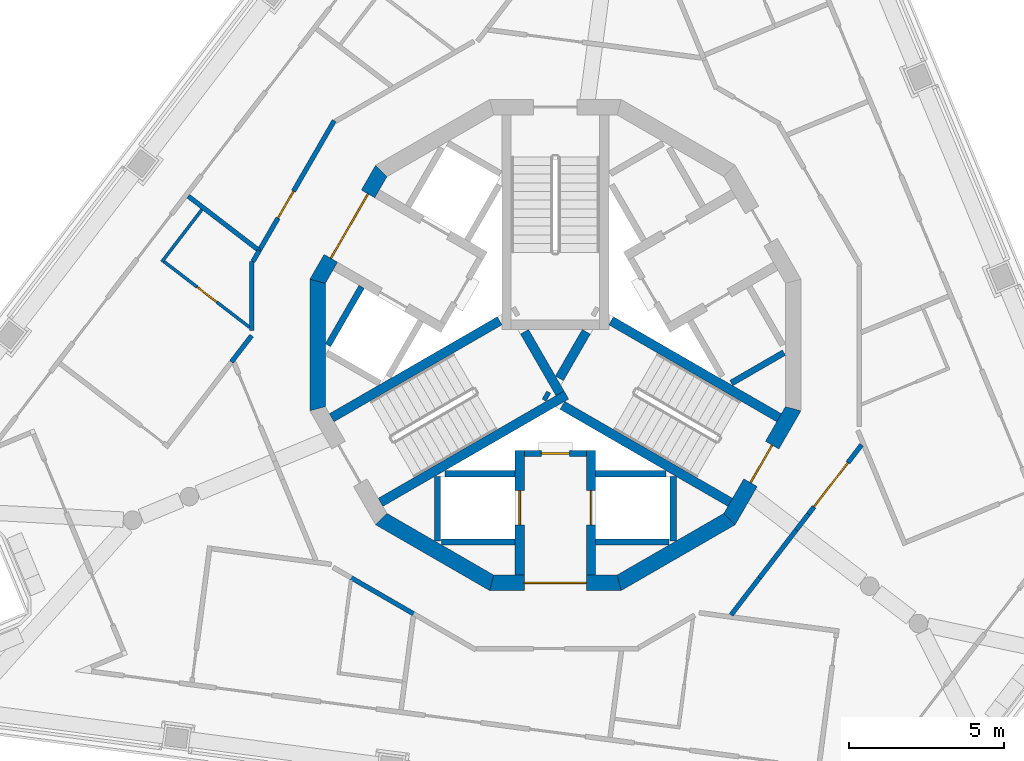
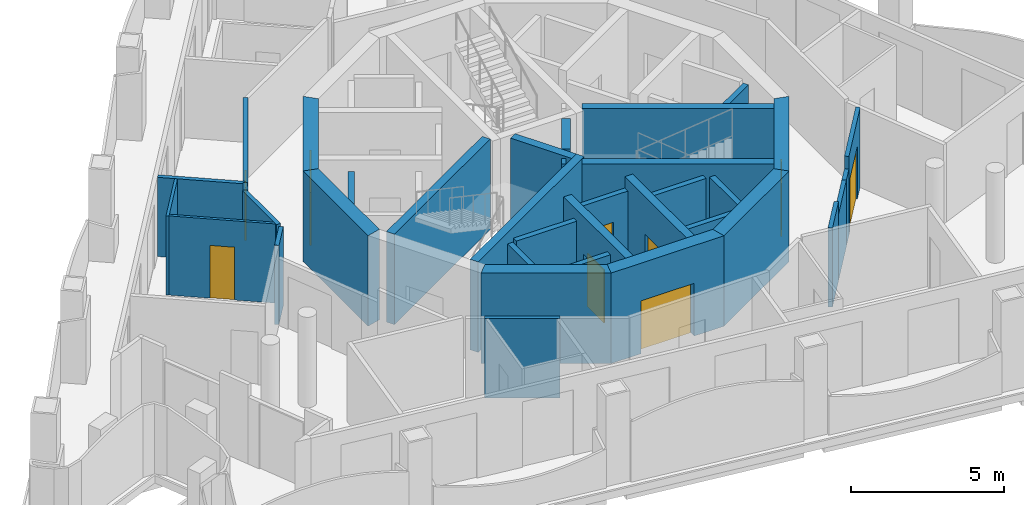
# One storey, part 3 of 12: 36 walls, 9 doors, 9 openings.
"""IFC4 building model written with IfcOpenShell, lengths in metres."""

import ifcopenshell
import ifcopenshell.guid

model = None  # the IFC model being written
_history = None  # IfcOwnerHistory: only IFC2X3 demands one
_inside = {}  # id of a spatial element -> (the spatial element, [elements in it])
_under = {}  # id of a project, library or spatial element -> (it, [spatial elements below it])
_declared = {}  # id of a project -> (the project, [libraries it declares])
_typed = {}  # id of a type object -> (the type object, [elements of that type])
_made_of = {}  # id of a material, layer set ... -> (it, [elements and type objects made of it])


def new_model(schema):
    """Start an empty IFC model of exactly this schema.

    Asked for "IFC4X3", IfcOpenShell would pick the latest addendum, in which some entities
    have other attributes; the version numbers below select the first issue.
    IFC2X3 requires an IfcOwnerHistory on every rooted entity: one is made here for all.
    """
    global model, _history
    if schema == "IFC4X3":
        model = ifcopenshell.file(schema_version=(4, 3, 0, 0))
    else:
        model = ifcopenshell.file(schema=schema)
    _inside.clear()
    _under.clear()
    _declared.clear()
    _typed.clear()
    _made_of.clear()
    _history = None
    if model.schema == "IFC2X3":
        org = make("IfcOrganization", Name="unknown")
        user = make(
            "IfcPersonAndOrganization",
            ThePerson=make("IfcPerson", FamilyName="unknown"),
            TheOrganization=org,
        )
        app = make(
            "IfcApplication",
            ApplicationDeveloper=org,
            Version="unknown",
            ApplicationFullName="unknown",
            ApplicationIdentifier="unknown",
        )
        _history = make(
            "IfcOwnerHistory",
            OwningUser=user,
            OwningApplication=app,
            ChangeAction="ADDED",
            CreationDate=0,
        )
    return model


def make(cls, **values):
    """One entity of the class cls with the attributes given. An attribute that is None is left unset."""
    return model.create_entity(
        cls, **{name: value for name, value in values.items() if value is not None}
    )


def rooted(cls, **values):
    """An entity with a GlobalId (a new one), such as an element, a storey or a relation."""
    return make(cls, GlobalId=ifcopenshell.guid.new(), OwnerHistory=_history, **values)


def si_unit(unit_type, name, prefix=None):
    """IfcSIUnit, for example si_unit("LENGTHUNIT", "METRE", prefix="MILLI")."""
    return make("IfcSIUnit", UnitType=unit_type, Prefix=prefix, Name=name)


def assignment(units):
    """IfcUnitAssignment: the units of a project."""
    return None if units is None else make("IfcUnitAssignment", Units=units)


def point(xyz):
    """IfcCartesianPoint."""
    return None if xyz is None else make("IfcCartesianPoint", Coordinates=xyz)


def direction(xyz):
    """IfcDirection."""
    return None if xyz is None else make("IfcDirection", DirectionRatios=xyz)


def frame(location, z_axis=None, x_axis=None):
    """IfcAxis2Placement3D, a coordinate frame: its origin and axes. An axis left out is left unset."""
    return make(
        "IfcAxis2Placement3D",
        Location=point(location),
        Axis=direction(z_axis),
        RefDirection=direction(x_axis),
    )


def frame_2d(location, x_axis=None):
    """IfcAxis2Placement2D, a coordinate frame in the plane: its origin and x axis."""
    return make(
        "IfcAxis2Placement2D", Location=point(location), RefDirection=direction(x_axis)
    )


def origin():
    """The frame at (0, 0, 0) with its axes left unset."""
    return frame((0.0, 0.0, 0.0))


def place(relative_to, where):
    """IfcLocalPlacement: puts the frame where relative to a parent placement (None: the world)."""
    return make(
        "IfcLocalPlacement", PlacementRelTo=relative_to, RelativePlacement=where
    )


def context(
    kind, dimensions, precision=None, world=None, true_north=None, identifier=None
):
    """IfcGeometricRepresentationContext, for example the 3D "Model" context."""
    return make(
        "IfcGeometricRepresentationContext",
        ContextIdentifier=identifier,
        ContextType=kind,
        CoordinateSpaceDimension=dimensions,
        Precision=precision,
        WorldCoordinateSystem=world,
        TrueNorth=true_north,
    )


def subcontext(parent, identifier, kind, view, scale=None):
    """IfcGeometricRepresentationSubContext, for example "Body" below "Model"."""
    return make(
        "IfcGeometricRepresentationSubContext",
        ContextIdentifier=identifier,
        ContextType=kind,
        ParentContext=parent,
        TargetScale=scale,
        TargetView=view,
    )


def project(units=None, contexts=None):
    """IfcProject with its units and contexts."""
    return rooted(
        "IfcProject",
        Name="project",
        RepresentationContexts=contexts,
        UnitsInContext=assignment(units),
    )


def spatial(cls, under=None, at=None, **own):
    """A site, building, storey or space (cls), placed at a placement, below another one or the project."""
    s = rooted(cls, ObjectPlacement=at, **own)
    if under is not None:
        _under.setdefault(under.id(), (under, []))[1].append(s)
    return s


def polyline(points):
    """IfcPolyline through the points."""
    return make("IfcPolyline", Points=[point(p) for p in points])


def profile(cls, at=None, kind="AREA", **sizes):
    """A parametric profile (cls). Its sizes go by their IFC names, for example OverallWidth=200.0."""
    return make(cls, ProfileType=kind, Position=at, **sizes)


def rectangle(**sizes):
    """IfcRectangleProfileDef."""
    return profile("IfcRectangleProfileDef", **sizes)


def outline(outer, holes=None, kind="AREA"):
    """IfcArbitraryClosedProfileDef: a profile drawn as a closed curve; with holes, ...WithVoids."""
    if holes is None:
        return make("IfcArbitraryClosedProfileDef", ProfileType=kind, OuterCurve=outer)
    return make(
        "IfcArbitraryProfileDefWithVoids",
        ProfileType=kind,
        OuterCurve=outer,
        InnerCurves=holes,
    )


def extrude(swept, where, along, depth):
    """IfcExtrudedAreaSolid: the profile swept, set in the frame where, extruded along a direction by depth."""
    return make(
        "IfcExtrudedAreaSolid",
        SweptArea=swept,
        Position=where,
        ExtrudedDirection=direction(along),
        Depth=depth,
    )


def shape(context_of_items, identifier, shape_type, items):
    """IfcShapeRepresentation: the items that make up one representation, for example the "Body"."""
    return make(
        "IfcShapeRepresentation",
        ContextOfItems=context_of_items,
        RepresentationIdentifier=identifier,
        RepresentationType=shape_type,
        Items=items,
    )


def material(Name=None, Category=None):
    """IfcMaterial."""
    return make("IfcMaterial", Name=Name, Category=Category)


def layer(
    of_material, thickness, ventilated=None, Name=None, Category=None, Priority=None
):
    """IfcMaterialLayer: one layer of a wall or slab, of a material (None: an air gap)."""
    return make(
        "IfcMaterialLayer",
        Material=of_material,
        LayerThickness=thickness,
        IsVentilated=ventilated,
        Name=Name,
        Category=Category,
        Priority=Priority,
    )


def layer_set(layers, Name=None):
    """IfcMaterialLayerSet."""
    return make("IfcMaterialLayerSet", MaterialLayers=layers, LayerSetName=Name)


def made_of(thing, what):
    """Note that an element or type object is made of a material, layer set ...; save() writes the relation."""
    if what is not None:
        _made_of.setdefault(what.id(), (what, []))[1].append(thing)
    return thing


def type_object(cls, material=None, **own):
    """A type object (cls), such as IfcWallType, which elements share."""
    return made_of(rooted(cls, **own), material)


def element(
    cls,
    number,
    at=None,
    inside=None,
    cuts=None,
    type_object=None,
    material=None,
    context=None,
    identifier="Body",
    shape_type=None,
    held_by="IfcProductDefinitionShape",
    body=None,
    shapes=None,
    **own,
):
    """One element of the class cls, such as IfcWall. Its Tag is "e" and its number.

    at: its placement. inside: the storey or other place that contains it. cuts: it is an
    opening in that element (IfcRelVoidsElement). A single representation is given by context,
    identifier, shape_type and body (its items); several are given by shapes. held_by: the class
    of the entity that holds the representations. save() writes the other relations.
    """
    e = rooted(cls, Tag="e%d" % number, ObjectPlacement=at, **own)
    if body is not None:
        shapes = [shape(context, identifier, shape_type, body)]
    if shapes is not None:
        e.Representation = make(held_by, Representations=shapes)
    if inside is not None:
        _inside.setdefault(inside.id(), (inside, []))[1].append(e)
    if cuts is not None:
        rooted(
            "IfcRelVoidsElement", RelatingBuildingElement=cuts, RelatedOpeningElement=e
        )
    if type_object is not None:
        _typed.setdefault(type_object.id(), (type_object, []))[1].append(e)
    return made_of(e, material)


def fill(opening, filler):
    """IfcRelFillsElement: the door or window that sits in an opening."""
    return rooted(
        "IfcRelFillsElement",
        RelatingOpeningElement=opening,
        RelatedBuildingElement=filler,
    )


def aggregate(whole, parts):
    """IfcRelAggregates: a whole, such as a stair, and the parts it consists of."""
    return rooted("IfcRelAggregates", RelatingObject=whole, RelatedObjects=parts)


def save(model, path):
    """Write the relations noted so far, then the file.

    IfcRelAggregates (storeys below a building ...), IfcRelContainedInSpatialStructure (elements
    in a storey), IfcRelDefinesByType, IfcRelAssociatesMaterial and IfcRelDeclares: one each for
    every whole, place, type object, material and project.
    """
    for whole, parts in _under.values():
        aggregate(whole, parts)
    for where, things in _inside.values():
        rooted(
            "IfcRelContainedInSpatialStructure",
            RelatedElements=things,
            RelatingStructure=where,
        )
    for kind, things in _typed.values():
        rooted("IfcRelDefinesByType", RelatedObjects=things, RelatingType=kind)
    for what, things in _made_of.values():
        rooted("IfcRelAssociatesMaterial", RelatedObjects=things, RelatingMaterial=what)
    for by, libraries in _declared.values():
        rooted("IfcRelDeclares", RelatingContext=by, RelatedDefinitions=libraries)
    model.write(path)


model = new_model("IFC4")

# Units and contexts
model_context = context("Model", 3, precision=1e-05, world=origin(), true_north=direction((0.0, 1.0)))
body_context = subcontext(model_context, "Body", "Model", "MODEL_VIEW")
ifc_project = project(units=[si_unit("LENGTHUNIT", "METRE"), si_unit("AREAUNIT", "SQUARE_METRE"), si_unit("VOLUMEUNIT", "CUBIC_METRE"), si_unit("PLANEANGLEUNIT", "RADIAN"), si_unit("MASSUNIT", "GRAM", prefix="KILO")], contexts=[model_context])

# Site, building, storey
site_placement = place(None, origin())
site = spatial("IfcSite", under=ifc_project, at=site_placement, CompositionType="ELEMENT")
building_placement = place(site_placement, origin())
building = spatial("IfcBuilding", under=site, at=building_placement, Name="Trine Commons Tower", CompositionType="ELEMENT")
storey_placement = place(building_placement, frame((0.0, 0.0, 297.0)))
storey = spatial("IfcBuildingStorey", under=building, at=storey_placement, Name="L78", CompositionType="ELEMENT", Elevation=297.0)

# Wall, opening, door
ifc_material_1 = material(Name="Fire-rated gypsum shaft wall system")
ifc_layer_1 = layer(ifc_material_1, 0.199951171875)
ifc_layer_set_1 = layer_set([ifc_layer_1], Name="Fire-rated gypsum shaft wall system")
wall_type_1 = type_object("IfcWallType", Name="Lobby end wall 200 mm, EI 120", PredefinedType="PARTITIONING", material=ifc_layer_set_1)
wall_1_placement = place(storey_placement, frame((79.0, 59.0, 0.0), z_axis=(0.0, 0.0, 1.0), x_axis=(1.0, 0.0, 0.0)))
wall_1 = element("IfcWall", 1, at=wall_1_placement, inside=storey, type_object=wall_type_1, Name="Lobby end wall L78", PredefinedType="PARTITIONING", context=body_context, shape_type="SweptSolid", body=[
    extrude(rectangle(XDim=2.0, YDim=0.199951171875, at=frame_2d((1.0, 0.0))), origin(), (0.0, 0.0, 1.0), 3.14990234375),
])
opening_1_placement = place(wall_1_placement, frame((0.550048828125, 0.0, 0.0)))
opening_1 = element("IfcOpeningElement", 2, at=opening_1_placement, cuts=wall_1, Name="Opening K18.09", PredefinedType="OPENING", context=body_context, shape_type="SweptSolid", body=[
    extrude(rectangle(XDim=0.89990234375, YDim=2.10009765625, at=frame_2d((0.449951171875, 1.050048828125))), frame((0.0, 0.10986328125, 0.0), z_axis=(0.0, -1.0, 0.0), x_axis=(1.0, 0.0, 0.0)), (0.0, 0.0, 1.0), 0.219970703125),
])
ifc_material_2 = material(Name="Steel door leaf, fire-rated", Category="steel")
door_type_1 = type_object("IfcDoorType", Name="Riser access door, single leaf 900 x 2100, FD60", OperationType="SINGLE_SWING_LEFT", PredefinedType="DOOR", material=ifc_material_2)
door_1_placement = place(opening_1_placement, frame((0.89990234375, 0.0, 0.0), z_axis=(0.0, 0.0, 1.0), x_axis=(-1.0, 0.0, 0.0)))
door_1 = element("IfcDoor", 3, at=door_1_placement, inside=storey, type_object=door_type_1, Name="Riser door, Communications riser L78", OperationType="SINGLE_SWING_RIGHT", OverallHeight=2.10009765625, OverallWidth=0.89990234375, PredefinedType="DOOR", context=body_context, shape_type="SweptSolid", body=[
    extrude(rectangle(XDim=0.89990234375, YDim=2.10009765625, at=frame_2d((0.449951171875, 1.050048828125))), frame((0.0, 0.02490234375, 0.0), z_axis=(0.0, -1.0, 0.0), x_axis=(1.0, 0.0, 0.0)), (0.0, 0.0, 1.0), 0.050048828125),
])
fill(opening_1, door_1)

ifc_material_3 = material(Name="Concrete C50/60", Category="concrete")
ifc_layer_2 = layer(ifc_material_3, 0.300048828125)
ifc_layer_set_2 = layer_set([ifc_layer_2], Name="Concrete C50/60")
wall_type_2 = type_object("IfcWallType", Name="RC shear wall 300 mm, C50/60", PredefinedType="SHEAR", material=ifc_layer_set_2)
wall_2_placement = place(storey_placement, frame((78.85009765625, 59.10009765625, 0.0), z_axis=(0.0, 0.0, 1.0), x_axis=(0.0, -1.0, 0.0)))
wall_2 = element("IfcWall", 4, at=wall_2_placement, inside=storey, type_object=wall_type_2, Name="Core cross wall SWD-03 L78", PredefinedType="SHEAR", context=body_context, shape_type="SweptSolid", body=[
    extrude(rectangle(XDim=4.02099609375, YDim=0.300048828125, at=frame_2d((2.010498046875, 0.0))), origin(), (0.0, 0.0, 1.0), 3.60009765625),
])
opening_2_placement = place(wall_2_placement, frame((1.300048828125, 0.0, 0.0)))
opening_2 = element("IfcOpeningElement", 5, at=opening_2_placement, cuts=wall_2, Name="Opening LD10", PredefinedType="OPENING", context=body_context, shape_type="SweptSolid", body=[
    extrude(rectangle(XDim=1.10009765625, YDim=2.10009765625, at=frame_2d((0.550048828125, 1.050048828125))), frame((0.0, 0.159912109375, 0.0), z_axis=(0.0, -1.0, 0.0), x_axis=(1.0, 0.0, 0.0)), (0.0, 0.0, 1.0), 0.320068359375),
])
ifc_material_4 = material(Name="Stainless steel sliding door leaves", Category="steel")
door_type_2 = type_object("IfcDoorType", Name="Lift landing door, centre-opening sliding 1100 x 2100, FD90", OperationType="DOUBLE_DOOR_SLIDING", PredefinedType="DOOR", material=ifc_material_4)
door_2_placement = place(opening_2_placement, origin())
door_2 = element("IfcDoor", 6, at=door_2_placement, inside=storey, type_object=door_type_2, Name="Lift landing door FF2 L78", OperationType="DOUBLE_DOOR_SLIDING", OverallHeight=2.10009765625, OverallWidth=1.10009765625, PredefinedType="DOOR", context=body_context, shape_type="SweptSolid", body=[
    extrude(rectangle(XDim=1.10009765625, YDim=2.10009765625, at=frame_2d((0.550048828125, 1.050048828125))), frame((0.0, 0.02490234375, 0.0), z_axis=(0.0, -1.0, 0.0), x_axis=(1.0, 0.0, 0.0)), (0.0, 0.0, 1.0), 0.050048828125),
])
fill(opening_2, door_2)

wall_3_placement = place(storey_placement, frame((81.14990234375, 59.10009765625, 0.0), z_axis=(0.0, 0.0, 1.0), x_axis=(0.0, -1.0, 0.0)))
wall_3 = element("IfcWall", 7, at=wall_3_placement, inside=storey, type_object=wall_type_2, Name="Core cross wall SWD-04 L78", PredefinedType="SHEAR", context=body_context, shape_type="SweptSolid", body=[
    extrude(rectangle(XDim=4.02099609375, YDim=0.300048828125, at=frame_2d((2.010498046875, 0.0))), origin(), (0.0, 0.0, 1.0), 3.60009765625),
])
opening_3_placement = place(wall_3_placement, frame((1.300048828125, 0.0, 0.0)))
opening_3 = element("IfcOpeningElement", 8, at=opening_3_placement, cuts=wall_3, Name="Opening LD9", PredefinedType="OPENING", context=body_context, shape_type="SweptSolid", body=[
    extrude(rectangle(XDim=1.10009765625, YDim=2.10009765625, at=frame_2d((0.550048828125, 1.050048828125))), frame((0.0, 0.159912109375, 0.0), z_axis=(0.0, -1.0, 0.0), x_axis=(1.0, 0.0, 0.0)), (0.0, 0.0, 1.0), 0.320068359375),
])
door_3_placement = place(opening_3_placement, origin())
door_3 = element("IfcDoor", 9, at=door_3_placement, inside=storey, type_object=door_type_2, Name="Lift landing door FF1 L78", OperationType="DOUBLE_DOOR_SLIDING", OverallHeight=2.10009765625, OverallWidth=1.10009765625, PredefinedType="DOOR", context=body_context, shape_type="SweptSolid", body=[
    extrude(rectangle(XDim=1.10009765625, YDim=2.10009765625, at=frame_2d((0.550048828125, 1.050048828125))), frame((0.0, 0.02490234375, 0.0), z_axis=(0.0, -1.0, 0.0), x_axis=(1.0, 0.0, 0.0)), (0.0, 0.0, 1.0), 0.050048828125),
])
fill(opening_3, door_3)

# Walls
wall_4_placement = place(storey_placement, frame((78.199951171875, 63.280029296875, 0.0), z_axis=(0.0, 0.0, 1.0), x_axis=(-0.866013897511, -0.50001992892, 0.0)))
element("IfcWall", 10, at=wall_4_placement, inside=storey, type_object=wall_type_2, Name="Core cross wall SWD-07 L78", PredefinedType="SHEAR", context=body_context, shape_type="SweptSolid", body=[
    extrude(rectangle(XDim=6.251708984375, YDim=0.300048828125, at=frame_2d((3.1259765625, 0.0))), origin(), (0.0, 0.0, 1.0), 3.60009765625),
])
wall_5_placement = place(storey_placement, frame((79.0029296875, 62.926025390625, 0.0), z_axis=(0.0, 0.0, 1.0), x_axis=(0.499965247104, -0.866045467449, 0.0)))
element("IfcWall", 11, at=wall_5_placement, inside=storey, type_object=wall_type_2, Name="Core cross wall SWD-10 L78", PredefinedType="SHEAR", context=body_context, shape_type="SweptSolid", body=[
    extrude(rectangle(XDim=2.292236328125, YDim=0.300048828125, at=frame_2d((1.14599609375, 0.0))), origin(), (0.0, 0.0, 1.0), 3.60009765625),
])
wall_6_placement = place(storey_placement, frame((79.64599609375, 60.885986328125, 0.0), z_axis=(0.0, 0.0, 1.0), x_axis=(0.867331893649, -0.497730234424, 0.0)))
element("IfcWall", 12, at=wall_6_placement, inside=storey, type_object=wall_type_2, Name="Core cross wall SWD-11 L78", PredefinedType="SHEAR", context=body_context, shape_type="SweptSolid", body=[
    extrude(rectangle(XDim=0.148681640625, YDim=0.300048828125, at=frame_2d((0.07421875, 0.0))), origin(), (0.0, 0.0, 1.0), 3.60009765625),
])
wall_7_placement = place(storey_placement, frame((80.1298828125, 61.424072265625, 0.0), z_axis=(0.0, 0.0, 1.0), x_axis=(0.500014901547, 0.866016800201, 0.0)))
element("IfcWall", 13, at=wall_7_placement, inside=storey, type_object=wall_type_2, Name="Core cross wall SWD-12 L78", PredefinedType="SHEAR", context=body_context, shape_type="SweptSolid", body=[
    extrude(rectangle(XDim=1.734375, YDim=0.300048828125, at=frame_2d((0.8671875, 0.0))), origin(), (0.0, 0.0, 1.0), 3.60009765625),
])
wall_8_placement = place(storey_placement, frame((80.22509765625, 60.552001953125, 0.0), z_axis=(0.0, 0.0, 1.0), x_axis=(0.866004133274, -0.500036839795, 0.0)))
element("IfcWall", 14, at=wall_8_placement, inside=storey, type_object=wall_type_2, Name="Core cross wall SWD-13 L78", PredefinedType="SHEAR", context=body_context, shape_type="SweptSolid", body=[
    extrude(rectangle(XDim=6.25146484375, YDim=0.300048828125, at=frame_2d((3.125732421875, 0.0))), origin(), (0.0, 0.0, 1.0), 3.60009765625),
])
wall_9_placement = place(storey_placement, frame((80.35400390625, 60.885986328125, 0.0), z_axis=(0.0, 0.0, 1.0), x_axis=(-0.86602871973, -0.49999425657, 0.0)))
element("IfcWall", 15, at=wall_9_placement, inside=storey, type_object=wall_type_2, Name="Core cross wall SWD-14 L78", PredefinedType="SHEAR", context=body_context, shape_type="SweptSolid", body=[
    extrude(rectangle(XDim=6.919921875, YDim=0.300048828125, at=frame_2d((3.4599609375, 0.0))), origin(), (0.0, 0.0, 1.0), 3.60009765625),
])
wall_10_placement = place(storey_placement, frame((81.800048828125, 63.280029296875, 0.0), z_axis=(0.0, 0.0, 1.0), x_axis=(0.866013897511, -0.50001992892, 0.0)))
element("IfcWall", 16, at=wall_10_placement, inside=storey, type_object=wall_type_2, Name="Core cross wall SWD-18 L78", PredefinedType="SHEAR", context=body_context, shape_type="SweptSolid", body=[
    extrude(rectangle(XDim=6.251708984375, YDim=0.300048828125, at=frame_2d((3.1259765625, 0.0))), origin(), (0.0, 0.0, 1.0), 3.60009765625),
])

# Wall, opening, door
ifc_layer_3 = layer(ifc_material_3, 0.5)
ifc_layer_set_3 = layer_set([ifc_layer_3], Name="Concrete C50/60")
wall_type_3 = type_object("IfcWallType", Name="RC shear wall 500 mm, C50/60", PredefinedType="SHEAR", material=ifc_layer_set_3)
wall_11_placement = place(storey_placement, frame((74.418212890625, 68.17333984375, 0.0), z_axis=(0.0, 0.0, 1.0), x_axis=(-0.499992968425, -0.866029463428, 0.0)))
wall_11 = element("IfcWall", 17, at=wall_11_placement, inside=storey, type_object=wall_type_3, Name="Core wall CWH-06 L78", PredefinedType="SHEAR", context=body_context, shape_type="SweptSolid", body=[
    extrude(outline(polyline([(0.0, -0.25), (4.24462890625, -0.25), (4.110595703125, 0.25), (0.134033203125, 0.25), (0.0, -0.25)])), origin(), (0.0, 0.0, 1.0), 3.60009765625),
])
opening_4_placement = place(wall_11_placement, frame((0.92236328125, 0.0, 0.0)))
opening_4 = element("IfcOpeningElement", 18, at=opening_4_placement, cuts=wall_11, Name="Opening K18.06", PredefinedType="OPENING", context=body_context, shape_type="SweptSolid", body=[
    extrude(rectangle(XDim=2.39990234375, YDim=2.10009765625, at=frame_2d((1.199951171875, 1.050048828125))), frame((0.0, 0.260009765625, 0.0), z_axis=(0.0, -1.0, 0.0), x_axis=(1.0, 0.0, 0.0)), (0.0, 0.0, 1.0), 0.52001953125),
])
ifc_material_5 = material(Name="Steel door leaves, fire-rated", Category="steel")
door_type_3 = type_object("IfcDoorType", Name="Lobby door, double leaf 2400 x 2100, FD60", OperationType="DOUBLE_DOOR_SINGLE_SWING", PredefinedType="DOOR", material=ifc_material_5)
door_4_placement = place(opening_4_placement, origin())
door_4 = element("IfcDoor", 19, at=door_4_placement, inside=storey, type_object=door_type_3, Name="Lobby door, Passenger lift lobby B L78", OperationType="DOUBLE_DOOR_SINGLE_SWING", OverallHeight=2.10009765625, OverallWidth=2.39990234375, PredefinedType="DOOR", context=body_context, shape_type="SweptSolid", body=[
    extrude(rectangle(XDim=2.39990234375, YDim=2.10009765625, at=frame_2d((1.199951171875, 1.050048828125))), frame((0.0, 0.02490234375, 0.0), z_axis=(0.0, -1.0, 0.0), x_axis=(1.0, 0.0, 0.0)), (0.0, 0.0, 1.0), 0.050048828125),
])
fill(opening_4, door_4)

# Walls
for number, where, z_axis, x_axis, name in (
    (20, (72.329345703125, 64.622314453125, 0.0), (0.0, 0.0, 1.0), (0.0, -1.0, 0.0), "Core wall CWH-07 L78"),
    (21, (74.32666015625, 56.918212890625, 0.0), (0.0, 0.0, 1.0), (0.866029463428, -0.499992968425, 0.0), "Core wall CWH-09 L78"),
):
    element("IfcWall", number, at=place(storey_placement, frame(where, z_axis=z_axis, x_axis=x_axis)), inside=storey, type_object=wall_type_3, Name=name, PredefinedType="SHEAR", context=body_context, shape_type="SweptSolid", body=[
        extrude(outline(polyline([(0.0, -0.25), (4.24462890625, -0.25), (4.110595703125, 0.25), (0.134033203125, 0.25), (0.0, -0.25)])), origin(), (0.0, 0.0, 1.0), 3.60009765625),
    ])

# Wall, opening, door
wall_12_placement = place(storey_placement, frame((77.877685546875, 54.829345703125, 0.0), z_axis=(0.0, 0.0, 1.0), x_axis=(1.0, 0.0, 0.0)))
wall_12 = element("IfcWall", 22, at=wall_12_placement, inside=storey, type_object=wall_type_3, Name="Core wall CWH-10 L78", PredefinedType="SHEAR", context=body_context, shape_type="SweptSolid", body=[
    extrude(outline(polyline([(0.0, -0.25), (4.24462890625, -0.25), (4.110595703125, 0.25), (0.134033203125, 0.25), (0.0, -0.25)])), origin(), (0.0, 0.0, 1.0), 3.60009765625),
])
opening_5_placement = place(wall_12_placement, frame((1.122314453125, 0.0, 0.0)))
opening_5 = element("IfcOpeningElement", 23, at=opening_5_placement, cuts=wall_12, Name="Opening K18.08", PredefinedType="OPENING", context=body_context, shape_type="SweptSolid", body=[
    extrude(rectangle(XDim=2.0, YDim=2.10009765625, at=frame_2d((1.0, 1.050048828125))), frame((0.0, 0.260009765625, 0.0), z_axis=(0.0, -1.0, 0.0), x_axis=(1.0, 0.0, 0.0)), (0.0, 0.0, 1.0), 0.52001953125),
])
door_type_4 = type_object("IfcDoorType", Name="Lobby door, double leaf 2000 x 2100, FD60", OperationType="DOUBLE_DOOR_SINGLE_SWING", PredefinedType="DOOR", material=ifc_material_5)
door_5_placement = place(opening_5_placement, origin())
door_5 = element("IfcDoor", 24, at=door_5_placement, inside=storey, type_object=door_type_4, Name="Lobby door, Service and firefighting lobby L78", OperationType="DOUBLE_DOOR_SINGLE_SWING", OverallHeight=2.10009765625, OverallWidth=2.0, PredefinedType="DOOR", context=body_context, shape_type="SweptSolid", body=[
    extrude(rectangle(XDim=2.0, YDim=2.10009765625, at=frame_2d((1.0, 1.050048828125))), frame((0.0, 0.02490234375, 0.0), z_axis=(0.0, -1.0, 0.0), x_axis=(1.0, 0.0, 0.0)), (0.0, 0.0, 1.0), 0.050048828125),
])
fill(opening_5, door_5)

# Wall
wall_13_placement = place(storey_placement, frame((81.997314453125, 54.7958984375, 0.0), z_axis=(0.0, 0.0, 1.0), x_axis=(0.866029463428, 0.499992968425, 0.0)))
element("IfcWall", 25, at=wall_13_placement, inside=storey, type_object=wall_type_3, Name="Core wall CWH-11 L78", PredefinedType="SHEAR", context=body_context, shape_type="SweptSolid", body=[
    extrude(outline(polyline([(0.0, -0.25), (4.24462890625, -0.25), (4.110595703125, 0.25), (0.134033203125, 0.25), (0.0, -0.25)])), origin(), (0.0, 0.0, 1.0), 3.60009765625),
])

# Wall, opening, door
wall_14_placement = place(storey_placement, frame((85.581787109375, 56.82666015625, 0.0), z_axis=(0.0, 0.0, 1.0), x_axis=(0.499992968425, 0.866029463428, 0.0)))
wall_14 = element("IfcWall", 26, at=wall_14_placement, inside=storey, type_object=wall_type_3, Name="Core wall CWH-12 L78", PredefinedType="SHEAR", context=body_context, shape_type="SweptSolid", body=[
    extrude(outline(polyline([(0.0, -0.25), (4.24462890625, -0.25), (4.110595703125, 0.25), (0.134033203125, 0.25), (0.0, -0.25)])), origin(), (0.0, 0.0, 1.0), 3.60009765625),
])
opening_6_placement = place(wall_14_placement, frame((1.42236328125, 0.0, 0.0)))
opening_6 = element("IfcOpeningElement", 27, at=opening_6_placement, cuts=wall_14, Name="Opening K18.03", PredefinedType="OPENING", context=body_context, shape_type="SweptSolid", body=[
    extrude(rectangle(XDim=1.39990234375, YDim=2.10009765625, at=frame_2d((0.699951171875, 1.050048828125))), frame((0.0, 0.260009765625, 0.0), z_axis=(0.0, -1.0, 0.0), x_axis=(1.0, 0.0, 0.0)), (0.0, 0.0, 1.0), 0.52001953125),
])
door_type_5 = type_object("IfcDoorType", Name="Stair door, double leaf 1400 x 2100, FD90", OperationType="DOUBLE_DOOR_SINGLE_SWING", PredefinedType="DOOR", material=ifc_material_5)
door_6_placement = place(opening_6_placement, origin())
door_6 = element("IfcDoor", 28, at=door_6_placement, inside=storey, type_object=door_type_5, Name="Stair door to Exit stair ST3D L78", OperationType="DOUBLE_DOOR_SINGLE_SWING", OverallHeight=2.10009765625, OverallWidth=1.39990234375, PredefinedType="DOOR", context=body_context, shape_type="SweptSolid", body=[
    extrude(rectangle(XDim=1.39990234375, YDim=2.10009765625, at=frame_2d((0.699951171875, 1.050048828125))), frame((0.0, 0.02490234375, 0.0), z_axis=(0.0, -1.0, 0.0), x_axis=(1.0, 0.0, 0.0)), (0.0, 0.0, 1.0), 0.050048828125),
])
fill(opening_6, door_6)

# Walls
ifc_layer_4 = layer(ifc_material_1, 0.199951171875)
ifc_layer_set_4 = layer_set([ifc_layer_4], Name="Fire-rated gypsum shaft wall system")
wall_type_4 = type_object("IfcWallType", Name="Shaft wall 200 mm, EI 120", PredefinedType="PARTITIONING", material=ifc_layer_set_4)
wall_15_placement = place(storey_placement, frame((73.7509765625, 64.3759765625, 0.0), z_axis=(0.0, 0.0, 1.0), x_axis=(-0.499865263774, -0.866103179807, 0.0)))
element("IfcWall", 29, at=wall_15_placement, inside=storey, type_object=wall_type_4, Name="Shaft wall L78", PredefinedType="PARTITIONING", context=body_context, shape_type="SweptSolid", body=[
    extrude(rectangle(XDim=2.17041015625, YDim=0.199951171875, at=frame_2d((1.085205078125, 0.0))), origin(), (0.0, 0.0, 1.0), 3.14990234375),
])
wall_16_placement = place(storey_placement, frame((76.199951171875, 58.257080078125, 0.0), z_axis=(0.0, 0.0, 1.0), x_axis=(0.0, -1.0, 0.0)))
element("IfcWall", 30, at=wall_16_placement, inside=storey, type_object=wall_type_4, Name="Shaft wall L78", PredefinedType="PARTITIONING", context=body_context, shape_type="SweptSolid", body=[
    extrude(rectangle(XDim=2.073974609375, YDim=0.199951171875, at=frame_2d((1.037109375, 0.0))), origin(), (0.0, 0.0, 1.0), 3.14990234375),
])
wall_17_placement = place(storey_placement, frame((78.699951171875, 56.14990234375, 0.0), z_axis=(0.0, 0.0, 1.0), x_axis=(-1.0, 0.0, 0.0)))
element("IfcWall", 31, at=wall_17_placement, inside=storey, type_object=wall_type_4, Name="Shaft wall L78", PredefinedType="PARTITIONING", context=body_context, shape_type="SweptSolid", body=[
    extrude(rectangle(XDim=2.368896484375, YDim=0.199951171875, at=frame_2d((1.1845703125, 0.0))), origin(), (0.0, 0.0, 1.0), 3.14990234375),
])
wall_18_placement = place(storey_placement, frame((78.699951171875, 58.35009765625, 0.0), z_axis=(0.0, 0.0, 1.0), x_axis=(-1.0, 0.0, 0.0)))
element("IfcWall", 32, at=wall_18_placement, inside=storey, type_object=wall_type_4, Name="Shaft wall L78", PredefinedType="PARTITIONING", context=body_context, shape_type="SweptSolid", body=[
    extrude(rectangle(XDim=2.264892578125, YDim=0.199951171875, at=frame_2d((1.13232421875, 0.0))), origin(), (0.0, 0.0, 1.0), 3.14990234375),
])
wall_19_placement = place(storey_placement, frame((81.300048828125, 56.14990234375, 0.0), z_axis=(0.0, 0.0, 1.0), x_axis=(1.0, 0.0, 0.0)))
element("IfcWall", 33, at=wall_19_placement, inside=storey, type_object=wall_type_4, Name="Shaft wall L78", PredefinedType="PARTITIONING", context=body_context, shape_type="SweptSolid", body=[
    extrude(rectangle(XDim=2.368896484375, YDim=0.199951171875, at=frame_2d((1.1845703125, 0.0))), origin(), (0.0, 0.0, 1.0), 3.14990234375),
])
wall_20_placement = place(storey_placement, frame((81.300048828125, 58.35009765625, 0.0), z_axis=(0.0, 0.0, 1.0), x_axis=(1.0, 0.0, 0.0)))
element("IfcWall", 34, at=wall_20_placement, inside=storey, type_object=wall_type_4, Name="Shaft wall L78", PredefinedType="PARTITIONING", context=body_context, shape_type="SweptSolid", body=[
    extrude(rectangle(XDim=2.264892578125, YDim=0.199951171875, at=frame_2d((1.13232421875, 0.0))), origin(), (0.0, 0.0, 1.0), 3.14990234375),
])
wall_21_placement = place(storey_placement, frame((83.800048828125, 58.257080078125, 0.0), z_axis=(0.0, 0.0, 1.0), x_axis=(0.0, -1.0, 0.0)))
element("IfcWall", 35, at=wall_21_placement, inside=storey, type_object=wall_type_4, Name="Shaft wall L78", PredefinedType="PARTITIONING", context=body_context, shape_type="SweptSolid", body=[
    extrude(rectangle(XDim=2.073974609375, YDim=0.199951171875, at=frame_2d((1.037109375, 0.0))), origin(), (0.0, 0.0, 1.0), 3.14990234375),
])
wall_22_placement = place(storey_placement, frame((85.675048828125, 61.27294921875, 0.0), z_axis=(0.0, 0.0, 1.0), x_axis=(0.86585547495, 0.500294209939, 0.0)))
element("IfcWall", 36, at=wall_22_placement, inside=storey, type_object=wall_type_4, Name="Shaft wall L78", PredefinedType="PARTITIONING", context=body_context, shape_type="SweptSolid", body=[
    extrude(rectangle(XDim=1.958740234375, YDim=0.199951171875, at=frame_2d((0.9794921875, 0.0))), origin(), (0.0, 0.0, 1.0), 3.14990234375),
])
ifc_material_6 = material(Name="Gypsum plasterboard on steel stud", Category="steel")
ifc_layer_5 = layer(ifc_material_6, 0.14990234375)
ifc_layer_set_5 = layer_set([ifc_layer_5], Name="Gypsum plasterboard on steel stud")
wall_type_5 = type_object("IfcWallType", Name="Unit and corridor wall 150 mm, EI 60", PredefinedType="PARTITIONING", material=ifc_layer_set_5)
wall_23_placement = place(storey_placement, frame((68.15771484375, 67.300537109375, 0.0), z_axis=(0.0, 0.0, 1.0), x_axis=(0.793362540986, -0.608749438242, 0.0)))
element("IfcWall", 37, at=wall_23_placement, inside=storey, type_object=wall_type_5, Name="Partition 005", PredefinedType="PARTITIONING", context=body_context, shape_type="SweptSolid", body=[
    extrude(rectangle(XDim=2.885498046875, YDim=0.14990234375, at=frame_2d((1.44287109375, 0.0))), origin(), (0.0, 0.0, 1.0), 3.14990234375),
])
wall_24_placement = place(storey_placement, frame((69.552490234375, 61.95556640625, 0.0), z_axis=(0.0, 0.0, 1.0), x_axis=(0.608685264342, 0.793411777687, 0.0)))
element("IfcWall", 38, at=wall_24_placement, inside=storey, type_object=wall_type_5, Name="Partition 008", PredefinedType="PARTITIONING", context=body_context, shape_type="SweptSolid", body=[
    extrude(rectangle(XDim=1.070556640625, YDim=0.14990234375, at=frame_2d((0.53515625, 0.0))), origin(), (0.0, 0.0, 1.0), 3.14990234375),
])
wall_25_placement = place(storey_placement, frame((70.2041015625, 62.966064453125, 0.0), z_axis=(0.0, 0.0, 1.0), x_axis=(0.0, 1.0, 0.0)))
element("IfcWall", 39, at=wall_25_placement, inside=storey, type_object=wall_type_5, Name="Partition 010", PredefinedType="PARTITIONING", context=body_context, shape_type="SweptSolid", body=[
    extrude(rectangle(XDim=2.23388671875, YDim=0.14990234375, at=frame_2d((1.116943359375, 0.0))), origin(), (0.0, 0.0, 1.0), 3.14990234375),
])
wall_26_placement = place(storey_placement, frame((70.241455078125, 65.18994140625, 0.0), z_axis=(0.0, 0.0, 1.0), x_axis=(0.499569084189, 0.866274050242, 0.0)))
element("IfcWall", 40, at=wall_26_placement, inside=storey, type_object=wall_type_5, Name="Partition 011", PredefinedType="PARTITIONING", context=body_context, shape_type="SweptSolid", body=[
    extrude(rectangle(XDim=0.413330078125, YDim=0.14990234375, at=frame_2d((0.20654296875, 0.0))), origin(), (0.0, 0.0, 1.0), 3.14990234375),
])

# Wall, opening, door
wall_27_placement = place(storey_placement, frame((70.444091796875, 65.541015625, 0.0), z_axis=(0.0, 0.0, 1.0), x_axis=(0.500074377092, 0.865982457891, 0.0)))
wall_27 = element("IfcWall", 41, at=wall_27_placement, inside=storey, type_object=wall_type_5, Name="Partition 012", PredefinedType="PARTITIONING", context=body_context, shape_type="SweptSolid", body=[
    extrude(rectangle(XDim=4.843994140625, YDim=0.14990234375, at=frame_2d((2.421875, 0.0))), origin(), (0.0, 0.0, 1.0), 3.14990234375),
])
opening_7_placement = place(wall_27_placement, frame((1.21923828125, 0.0, 0.0)))
opening_7 = element("IfcOpeningElement", 42, at=opening_7_placement, cuts=wall_27, Name="Opening D-8C05", PredefinedType="OPENING", context=body_context, shape_type="SweptSolid", body=[
    extrude(rectangle(XDim=1.0, YDim=2.10009765625, at=frame_2d((0.5, 1.050048828125))), frame((0.0, 0.0849609375, 0.0), z_axis=(0.0, -1.0, 0.0), x_axis=(1.0, 0.0, 0.0)), (0.0, 0.0, 1.0), 0.169921875),
])
ifc_material_7 = material(Name="Painted timber", Category="wood")
door_type_6 = type_object("IfcDoorType", Name="Amenity room door 1000 x 2100, NOT RATED", OperationType="NOTDEFINED", PredefinedType="DOOR", material=ifc_material_7)
door_7_placement = place(opening_7_placement, origin())
door_7 = element("IfcDoor", 43, at=door_7_placement, inside=storey, type_object=door_type_6, Name="Door D-8C05", OperationType="SINGLE_SWING_LEFT", OverallHeight=2.10009765625, OverallWidth=1.0, PredefinedType="DOOR", context=body_context, shape_type="SweptSolid", body=[
    extrude(rectangle(XDim=1.0, YDim=2.10009765625, at=frame_2d((0.5, 1.050048828125))), frame((0.0, 0.02490234375, 0.0), z_axis=(0.0, -1.0, 0.0), x_axis=(1.0, 0.0, 0.0)), (0.0, 0.0, 1.0), 0.050048828125),
])
fill(opening_7, door_7)

# Walls
wall_28_placement = place(storey_placement, frame((73.36669921875, 55.01904296875, 0.0), z_axis=(0.0, 0.0, 1.0), x_axis=(0.865912836248, -0.500194922027, 0.0)))
element("IfcWall", 44, at=wall_28_placement, inside=storey, type_object=wall_type_5, Name="Partition 021", PredefinedType="PARTITIONING", context=body_context, shape_type="SweptSolid", body=[
    extrude(rectangle(XDim=2.4599609375, YDim=0.14990234375, at=frame_2d((1.22998046875, 0.0))), origin(), (0.0, 0.0, 1.0), 3.14990234375),
])
wall_29_placement = place(storey_placement, frame((85.66650390625, 53.79345703125, 0.0), z_axis=(0.0, 0.0, 1.0), x_axis=(0.608584360589, 0.79348917828, 0.0)))
element("IfcWall", 45, at=wall_29_placement, inside=storey, type_object=wall_type_5, Name="Partition 043", PredefinedType="PARTITIONING", context=body_context, shape_type="SweptSolid", body=[
    extrude(rectangle(XDim=1.50927734375, YDim=0.14990234375, at=frame_2d((0.754638671875, 0.0))), origin(), (0.0, 0.0, 1.0), 3.14990234375),
])
wall_30_placement = place(storey_placement, frame((86.5849609375, 54.990966796875, 0.0), z_axis=(0.0, 0.0, 1.0), x_axis=(0.608644571119, 0.793442994832, 0.0)))
element("IfcWall", 46, at=wall_30_placement, inside=storey, type_object=wall_type_5, Name="Partition 045", PredefinedType="PARTITIONING", context=body_context, shape_type="SweptSolid", body=[
    extrude(rectangle(XDim=1.94873046875, YDim=0.14990234375, at=frame_2d((0.974365234375, 0.0))), origin(), (0.0, 0.0, 1.0), 2.64990234375),
])
wall_31_placement = place(storey_placement, frame((87.77099609375, 56.537109375, 0.0), z_axis=(0.0, 0.0, 1.0), x_axis=(0.60945333551, 0.792821942075, 0.0)))
element("IfcWall", 47, at=wall_31_placement, inside=storey, type_object=wall_type_5, Name="Partition 049", PredefinedType="PARTITIONING", context=body_context, shape_type="SweptSolid", body=[
    extrude(rectangle(XDim=0.641845703125, YDim=0.14990234375, at=frame_2d((0.32080078125, 0.0))), origin(), (0.0, 0.0, 1.0), 2.64990234375),
])

# Wall, opening, door
wall_32_placement = place(storey_placement, frame((88.1630859375, 57.047119140625, 0.0), z_axis=(0.0, 0.0, 1.0), x_axis=(0.608792119063, 0.793329790041, 0.0)))
wall_32 = element("IfcWall", 48, at=wall_32_placement, inside=storey, type_object=wall_type_5, Name="Partition 050", PredefinedType="PARTITIONING", context=body_context, shape_type="SweptSolid", body=[
    extrude(rectangle(XDim=2.81396484375, YDim=0.14990234375, at=frame_2d((1.406982421875, 0.0))), origin(), (0.0, 0.0, 1.0), 3.14990234375),
])
opening_8_placement = place(wall_32_placement, frame((0.292724609375, 0.0, 0.0)))
opening_8 = element("IfcOpeningElement", 49, at=opening_8_placement, cuts=wall_32, Name="Opening D-8C02", PredefinedType="OPENING", context=body_context, shape_type="SweptSolid", body=[
    extrude(rectangle(XDim=1.800048828125, YDim=2.10009765625, at=frame_2d((0.89990234375, 1.050048828125))), frame((0.0, 0.0849609375, 0.0), z_axis=(0.0, -1.0, 0.0), x_axis=(1.0, 0.0, 0.0)), (0.0, 0.0, 1.0), 0.169921875),
])
ifc_material_8 = material(Name="Timber fire door set", Category="wood")
door_type_7 = type_object("IfcDoorType", Name="Cluster entrance door 1800 x 2100, double leaf, FD30S", OperationType="DOUBLE_DOOR_DOUBLE_SWING", PredefinedType="DOOR", material=ifc_material_8)
door_8_placement = place(opening_8_placement, frame((1.800048828125, 0.0, 0.0), z_axis=(0.0, 0.0, 1.0), x_axis=(-1.0, 0.0, 0.0)))
door_8 = element("IfcDoor", 50, at=door_8_placement, inside=storey, type_object=door_type_7, Name="Door D-8C02", OperationType="DOUBLE_DOOR_DOUBLE_SWING", OverallHeight=2.10009765625, OverallWidth=1.800048828125, PredefinedType="DOOR", context=body_context, shape_type="SweptSolid", body=[
    extrude(rectangle(XDim=1.800048828125, YDim=2.10009765625, at=frame_2d((0.89990234375, 1.050048828125))), frame((0.0, 0.02490234375, 0.0), z_axis=(0.0, -1.0, 0.0), x_axis=(1.0, 0.0, 0.0)), (0.0, 0.0, 1.0), 0.050048828125),
])
fill(opening_8, door_8)

# Wall
ifc_layer_6 = layer(ifc_material_6, 0.10009765625)
ifc_layer_set_6 = layer_set([ifc_layer_6], Name="Gypsum plasterboard on steel stud")
wall_type_6 = type_object("IfcWallType", Name="Unit partition 100 mm, no rating", PredefinedType="PARTITIONING", material=ifc_layer_set_6)
wall_33_placement = place(storey_placement, frame((67.3046875, 65.182373046875, 0.0), z_axis=(0.0, 0.0, 1.0), x_axis=(0.608971833678, 0.793191846773, 0.0)))
element("IfcWall", 51, at=wall_33_placement, inside=storey, type_object=wall_type_6, Name="Partition 002", PredefinedType="PARTITIONING", context=body_context, shape_type="SweptSolid", body=[
    extrude(rectangle(XDim=2.12451171875, YDim=0.10009765625, at=frame_2d((1.062255859375, 0.0))), origin(), (0.0, 0.0, 1.0), 3.14990234375),
])

# Wall, opening, door
wall_34_placement = place(storey_placement, frame((67.374755859375, 65.191650390625, 0.0), z_axis=(0.0, 0.0, 1.0), x_axis=(0.793262986906, -0.608879161743, 0.0)))
wall_34 = element("IfcWall", 52, at=wall_34_placement, inside=storey, type_object=wall_type_6, Name="Partition 003", PredefinedType="PARTITIONING", context=body_context, shape_type="SweptSolid", body=[
    extrude(rectangle(XDim=3.49169921875, YDim=0.10009765625, at=frame_2d((1.745849609375, 0.0))), origin(), (0.0, 0.0, 1.0), 3.14990234375),
])
opening_9_placement = place(wall_34_placement, frame((1.345703125, 0.0, 0.0)))
opening_9 = element("IfcOpeningElement", 53, at=opening_9_placement, cuts=wall_34, Name="Opening D-8C14", PredefinedType="OPENING", context=body_context, shape_type="SweptSolid", body=[
    extrude(rectangle(XDim=0.800048828125, YDim=2.10009765625, at=frame_2d((0.39990234375, 1.050048828125))), frame((0.0, 0.06005859375, 0.0), z_axis=(0.0, -1.0, 0.0), x_axis=(1.0, 0.0, 0.0)), (0.0, 0.0, 1.0), 0.1201171875),
])
door_type_8 = type_object("IfcDoorType", Name="Internal door 800 x 2100, NOT RATED", OperationType="NOTDEFINED", PredefinedType="DOOR", material=ifc_material_7)
door_9_placement = place(opening_9_placement, frame((0.800048828125, 0.0, 0.0), z_axis=(0.0, 0.0, 1.0), x_axis=(-1.0, 0.0, 0.0)))
door_9 = element("IfcDoor", 54, at=door_9_placement, inside=storey, type_object=door_type_8, Name="Door D-8C14", OperationType="SINGLE_SWING_LEFT", OverallHeight=2.10009765625, OverallWidth=0.800048828125, PredefinedType="DOOR", context=body_context, shape_type="SweptSolid", body=[
    extrude(rectangle(XDim=0.800048828125, YDim=2.10009765625, at=frame_2d((0.39990234375, 1.050048828125))), frame((0.0, 0.02490234375, 0.0), z_axis=(0.0, -1.0, 0.0), x_axis=(1.0, 0.0, 0.0)), (0.0, 0.0, 1.0), 0.050048828125),
])
fill(opening_9, door_9)

save(model, "model.ifc")
